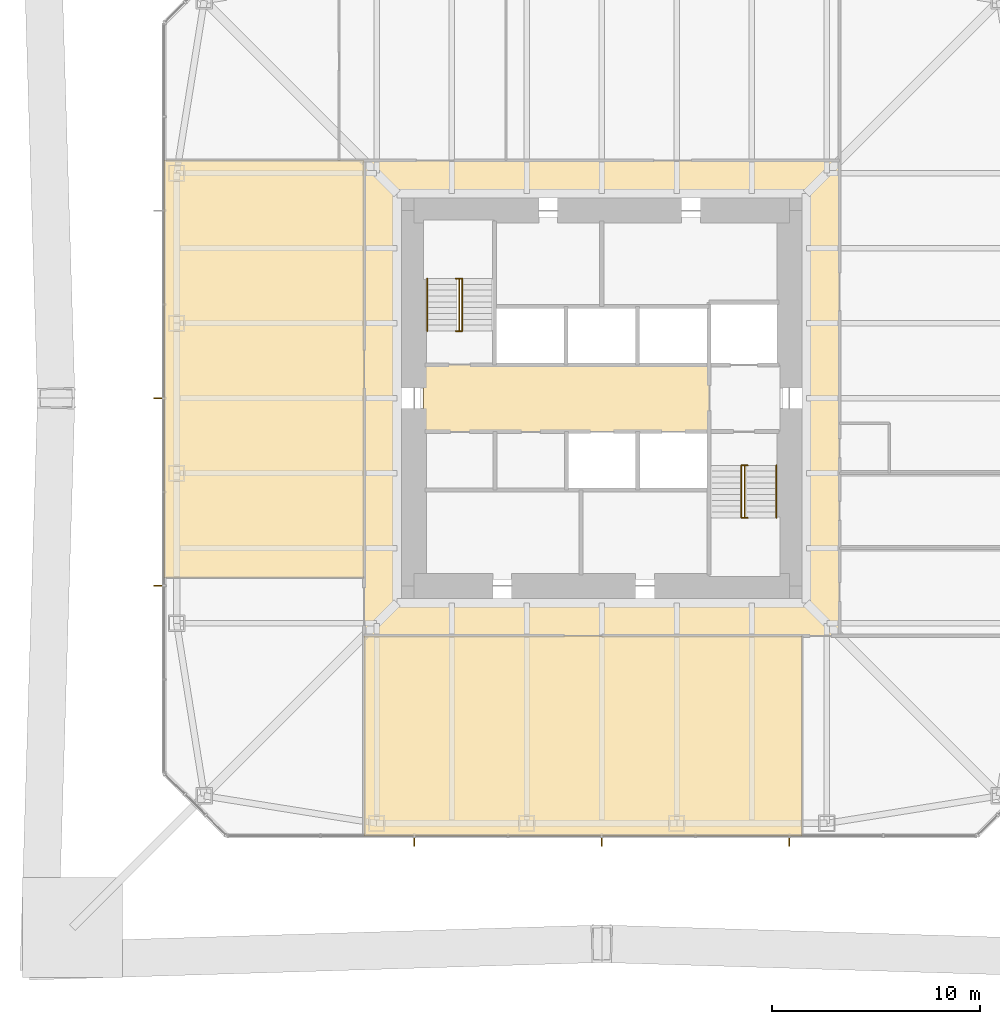
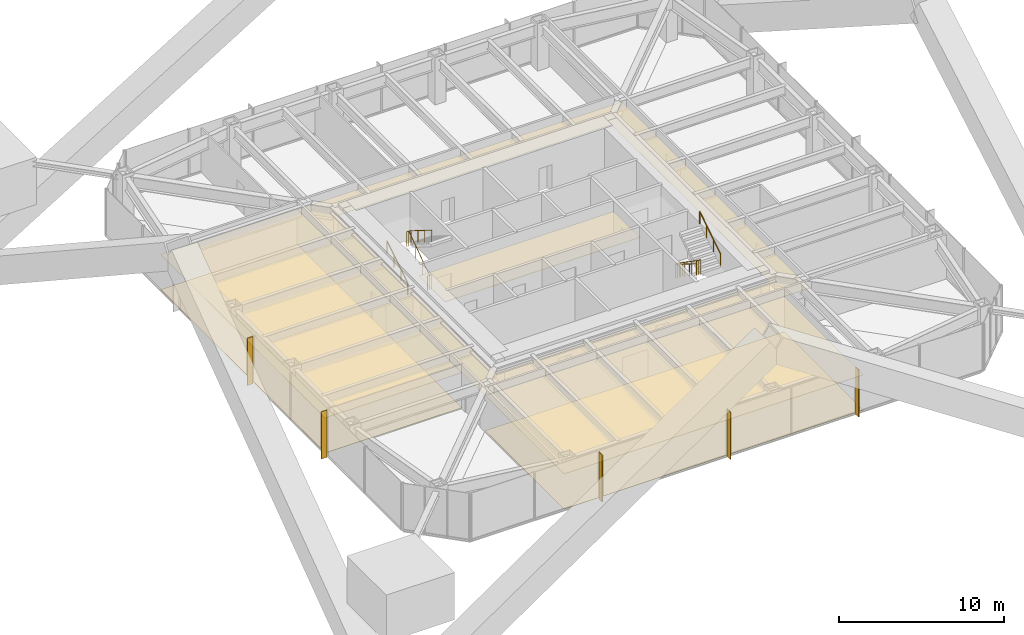
# One storey, part 18 of 21: 6 coverings, 6 railings, 5 shading devices.
"""IFC4 building model written with IfcOpenShell, lengths in metres."""

from ifc_helpers import new_model, si_unit, direction, frame, origin, origin_2d, place, context, subcontext, project, spatial, polyline, rectangle, circle, outline, extrude, material, layer, layer_set, constituent, constituent_set, type_object, element, save


model = new_model("IFC4")

# Units and contexts
model_context = context("Model", 3, precision=1e-05, world=origin(), true_north=direction((0.0, 1.0)))
body_context = subcontext(model_context, "Body", "Model", "MODEL_VIEW")
ifc_project = project(units=[si_unit("LENGTHUNIT", "METRE"), si_unit("AREAUNIT", "SQUARE_METRE"), si_unit("VOLUMEUNIT", "CUBIC_METRE"), si_unit("PLANEANGLEUNIT", "RADIAN"), si_unit("MASSUNIT", "GRAM", prefix="KILO")], contexts=[model_context])

# Site, building, storey
site_placement = place(None, origin())
site = spatial("IfcSite", under=ifc_project, at=site_placement, CompositionType="ELEMENT")
building_placement = place(site_placement, origin())
building = spatial("IfcBuilding", under=site, at=building_placement, Name="Iwan Alto Co-Living Towers", CompositionType="ELEMENT")
storey_placement = place(building_placement, frame((0.0, 0.0, 80.5)))
storey = spatial("IfcBuildingStorey", under=building, at=storey_placement, Name="L21", CompositionType="ELEMENT", Elevation=80.5)

# Covering
ifc_material_1 = material(Name="Mineral fibre acoustic tiles on steel grid", Category="steel")
ifc_layer_1 = layer(ifc_material_1, 0.02001953125)
ifc_layer_set_1 = layer_set([ifc_layer_1], Name="ACOUSTIC TILE CEILING 20")
covering_type_1 = type_object("IfcCoveringType", Name="ACOUSTIC TILE CEILING 20", PredefinedType="CEILING", material=ifc_layer_set_1)
covering_1_placement = place(storey_placement, frame((0.0, 0.0, 2.60009765625)))
element("IfcCovering", 1, at=covering_1_placement, inside=storey, type_object=covering_type_1, Name="Ceiling Lift lobby L21", PredefinedType="CEILING", context=body_context, shape_type="SweptSolid", body=[
    extrude(outline(polyline([(-8.550048828125, -1.60009765625), (-8.550048828125, 1.60009765625), (5.14990234375, 1.60009765625), (5.14990234375, -1.60009765625), (-8.550048828125, -1.60009765625)])), origin(), (0.0, 0.0, 1.0), 0.02001953125),
])

# Shading devices
ifc_material_2 = material(Name="Aluminium 6063-T6 bronze anodised", Category="aluminium")
ifc_layer_2 = layer(ifc_material_2, 0.050048828125)
ifc_layer_set_2 = layer_set([ifc_layer_2], Name="BRONZE FIN 50X400")
shading_device_type = type_object("IfcShadingDeviceType", Name="BRONZE FIN 50X400", PredefinedType="USERDEFINED", material=ifc_layer_set_2)
for number, where, z_axis, x_axis, name in (
    (2, (-9.0, -21.300048828125, 0.0), (0.0, 0.0, 1.0), (1.0, 0.0, 0.0), "Bronze fin L21"),
    (3, (0.0, -21.300048828125, 0.0), (0.0, 0.0, 1.0), (1.0, 0.0, 0.0), "Bronze fin L21"),
    (4, (9.0, -21.300048828125, 0.0), (0.0, 0.0, 1.0), (1.0, 0.0, 0.0), "Bronze fin L21"),
    (5, (-21.300048828125, 0.0, 0.0), (0.0, 0.0, 1.0), (0.0, -1.0, 0.0), "Bronze fin L21"),
    (6, (-21.300048828125, -9.0, 0.0), (0.0, 0.0, 1.0), (0.0, -1.0, 0.0), "Bronze fin L21"),
):
    element("IfcShadingDevice", number, at=place(storey_placement, frame(where, z_axis=z_axis, x_axis=x_axis)), inside=storey, type_object=shading_device_type, Name=name, ObjectType="LOUVER", PredefinedType="USERDEFINED", context=body_context, shape_type="SweptSolid", body=[
        extrude(rectangle(XDim=0.050048828125, YDim=0.39990234375, at=origin_2d()), origin(), (0.0, 0.0, 1.0), 3.5),
    ])

# Railings
ifc_material_3 = material(Name="Steel ASTM A500 Gr C", Category="steel")
ifc_constituent_1 = constituent(ifc_material_3, Name="Rails and posts", Category="Framing")
ifc_material_4 = material(Name="Steel ASTM A36", Category="steel")
ifc_constituent_2 = constituent(ifc_material_4, Name="Bar infill", Category="Infill")
ifc_constituent_set = constituent_set(constituents=[ifc_constituent_1, ifc_constituent_2], Name="STAIR GUARD 1100")
railing_type_1 = type_object("IfcRailingType", Name="STAIR GUARD 1100", PredefinedType="GUARDRAIL", material=ifc_constituent_set)
railing_1_placement = place(storey_placement, frame((-6.85009765625, 3.219970703125, 0.0)))
element("IfcRailing", 7, at=railing_1_placement, inside=storey, type_object=railing_type_1, Name="Stair T1-S1 well guard L21", PredefinedType="GUARDRAIL", context=body_context, shape_type="SweptSolid", body=[
    extrude(circle(Radius=0.02392578125, at=origin_2d()), frame((0.0, 0.0, 1.076171875), z_axis=(0.0, 0.821372036852, 0.570392826987), x_axis=(-1.0, 0.0, 0.0)), (0.0, 0.0, 1.0), 3.068115234375),
    extrude(circle(Radius=0.02392578125, at=origin_2d()), frame((-0.14990234375, 0.0, 1.076171875), z_axis=(1.0, 0.0, 0.0), x_axis=(0.0, 1.0, 0.0)), (0.0, 0.0, 1.0), 0.300048828125),
    extrude(circle(Radius=0.02392578125, at=origin_2d()), frame((-0.14990234375, 2.52001953125, 2.826171875), z_axis=(1.0, 0.0, 0.0), x_axis=(0.0, 1.0, 0.0)), (0.0, 0.0, 1.0), 0.300048828125),
    extrude(circle(Radius=0.02099609375, at=origin_2d()), origin(), (0.0, 0.0, 1.0), 1.052001953125),
    extrude(circle(Radius=0.02099609375, at=origin_2d()), frame((0.0, 0.840087890625, 0.583251953125)), (0.0, 0.0, 1.0), 1.052001953125),
    extrude(circle(Radius=0.02099609375, at=origin_2d()), frame((0.0, 1.679931640625, 1.166748046875)), (0.0, 0.0, 1.0), 1.052001953125),
    extrude(circle(Radius=0.02099609375, at=origin_2d()), frame((0.0, 2.52001953125, 1.75)), (0.0, 0.0, 1.0), 1.052001953125),
    extrude(circle(Radius=0.02099609375, at=origin_2d()), frame((-0.14990234375, 0.0, 0.0)), (0.0, 0.0, 1.0), 1.052001953125),
    extrude(circle(Radius=0.02099609375, at=origin_2d()), frame((0.150146484375, 0.0, 0.0)), (0.0, 0.0, 1.0), 1.052001953125),
    extrude(circle(Radius=0.02099609375, at=origin_2d()), frame((-0.14990234375, 2.52001953125, 1.75)), (0.0, 0.0, 1.0), 1.052001953125),
    extrude(circle(Radius=0.02099609375, at=origin_2d()), frame((0.150146484375, 2.52001953125, 1.75)), (0.0, 0.0, 1.0), 1.052001953125),
])
railing_2_placement = place(storey_placement, frame((6.85009765625, -3.219970703125, 0.0)))
element("IfcRailing", 8, at=railing_2_placement, inside=storey, type_object=railing_type_1, Name="Stair T1-S2 well guard L21", PredefinedType="GUARDRAIL", context=body_context, shape_type="SweptSolid", body=[
    extrude(circle(Radius=0.02392578125, at=origin_2d()), frame((0.0, 0.0, 1.076171875), z_axis=(0.0, -0.821372036852, 0.570392826987), x_axis=(1.0, 0.0, 0.0)), (0.0, 0.0, 1.0), 3.068115234375),
    extrude(circle(Radius=0.02392578125, at=origin_2d()), frame((-0.150146484375, 0.0, 1.076171875), z_axis=(1.0, 0.0, 0.0), x_axis=(0.0, 1.0, 0.0)), (0.0, 0.0, 1.0), 0.300048828125),
    extrude(circle(Radius=0.02392578125, at=origin_2d()), frame((-0.150146484375, -2.52001953125, 2.826171875), z_axis=(1.0, 0.0, 0.0), x_axis=(0.0, 1.0, 0.0)), (0.0, 0.0, 1.0), 0.300048828125),
    extrude(circle(Radius=0.02099609375, at=origin_2d()), origin(), (0.0, 0.0, 1.0), 1.052001953125),
    extrude(circle(Radius=0.02099609375, at=origin_2d()), frame((0.0, -0.840087890625, 0.583251953125)), (0.0, 0.0, 1.0), 1.052001953125),
    extrude(circle(Radius=0.02099609375, at=origin_2d()), frame((0.0, -1.679931640625, 1.166748046875)), (0.0, 0.0, 1.0), 1.052001953125),
    extrude(circle(Radius=0.02099609375, at=origin_2d()), frame((0.0, -2.52001953125, 1.75)), (0.0, 0.0, 1.0), 1.052001953125),
    extrude(circle(Radius=0.02099609375, at=origin_2d()), frame((-0.150146484375, 0.0, 0.0)), (0.0, 0.0, 1.0), 1.052001953125),
    extrude(circle(Radius=0.02099609375, at=origin_2d()), frame((0.14990234375, 0.0, 0.0)), (0.0, 0.0, 1.0), 1.052001953125),
    extrude(circle(Radius=0.02099609375, at=origin_2d()), frame((-0.150146484375, -2.52001953125, 1.75)), (0.0, 0.0, 1.0), 1.052001953125),
    extrude(circle(Radius=0.02099609375, at=origin_2d()), frame((0.14990234375, -2.52001953125, 1.75)), (0.0, 0.0, 1.0), 1.052001953125),
])
ifc_material_5 = material(Name="Steel ASTM A500 Gr C", Category="steel")
railing_type_2 = type_object("IfcRailingType", Name="STAIR HANDRAIL 900", PredefinedType="HANDRAIL", material=ifc_material_5)
railing_3_placement = place(storey_placement, frame((-8.3798828125, 3.219970703125, 0.175048828125)))
element("IfcRailing", 9, at=railing_3_placement, inside=storey, type_object=railing_type_2, Name="Stair T1-S1 handrail 1 L21", PredefinedType="HANDRAIL", context=body_context, shape_type="SweptSolid", body=[
    extrude(circle(Radius=0.02392578125, at=origin_2d()), frame((0.0, 0.0, 0.8759765625), z_axis=(0.0, 0.848007534815, 0.529984170421), x_axis=(-1.0, 0.0, 0.0)), (0.0, 0.0, 1.0), 2.9716796875),
    extrude(circle(Radius=0.02099609375, at=origin_2d()), origin(), (0.0, 0.0, 1.0), 0.851806640625),
    extrude(circle(Radius=0.02099609375, at=origin_2d()), frame((0.0, 0.840087890625, 0.52490234375)), (0.0, 0.0, 1.0), 0.851806640625),
    extrude(circle(Radius=0.02099609375, at=origin_2d()), frame((0.0, 1.679931640625, 1.050048828125)), (0.0, 0.0, 1.0), 0.851806640625),
    extrude(circle(Radius=0.02099609375, at=origin_2d()), frame((0.0, 2.52001953125, 1.574951171875)), (0.0, 0.0, 1.0), 0.851806640625),
])
for number, where, name in (
    (10, (-6.699951171875, 5.739990234375, 1.925048828125), "Stair T1-S1 handrail 2 L21"),
    (11, (6.699951171875, -3.219970703125, 0.175048828125), "Stair T1-S2 handrail 1 L21"),
):
    element("IfcRailing", number, at=place(storey_placement, frame(where)), inside=storey, type_object=railing_type_2, Name=name, PredefinedType="HANDRAIL", context=body_context, shape_type="SweptSolid", body=[
        extrude(circle(Radius=0.02392578125, at=origin_2d()), frame((0.0, 0.0, 0.8759765625), z_axis=(0.0, -0.848007534815, 0.529984170421), x_axis=(1.0, 0.0, 0.0)), (0.0, 0.0, 1.0), 2.9716796875),
        extrude(circle(Radius=0.02099609375, at=origin_2d()), origin(), (0.0, 0.0, 1.0), 0.851806640625),
        extrude(circle(Radius=0.02099609375, at=origin_2d()), frame((0.0, -0.840087890625, 0.52490234375)), (0.0, 0.0, 1.0), 0.851806640625),
        extrude(circle(Radius=0.02099609375, at=origin_2d()), frame((0.0, -1.679931640625, 1.050048828125)), (0.0, 0.0, 1.0), 0.851806640625),
        extrude(circle(Radius=0.02099609375, at=origin_2d()), frame((0.0, -2.52001953125, 1.574951171875)), (0.0, 0.0, 1.0), 0.851806640625),
    ])
railing_4_placement = place(storey_placement, frame((8.3798828125, -5.739990234375, 1.925048828125)))
element("IfcRailing", 12, at=railing_4_placement, inside=storey, type_object=railing_type_2, Name="Stair T1-S2 handrail 2 L21", PredefinedType="HANDRAIL", context=body_context, shape_type="SweptSolid", body=[
    extrude(circle(Radius=0.02392578125, at=origin_2d()), frame((0.0, 0.0, 0.8759765625), z_axis=(0.0, 0.848007534815, 0.529984170421), x_axis=(-1.0, 0.0, 0.0)), (0.0, 0.0, 1.0), 2.9716796875),
    extrude(circle(Radius=0.02099609375, at=origin_2d()), origin(), (0.0, 0.0, 1.0), 0.851806640625),
    extrude(circle(Radius=0.02099609375, at=origin_2d()), frame((0.0, 0.840087890625, 0.52490234375)), (0.0, 0.0, 1.0), 0.851806640625),
    extrude(circle(Radius=0.02099609375, at=origin_2d()), frame((0.0, 1.679931640625, 1.050048828125)), (0.0, 0.0, 1.0), 0.851806640625),
    extrude(circle(Radius=0.02099609375, at=origin_2d()), frame((0.0, 2.52001953125, 1.574951171875)), (0.0, 0.0, 1.0), 0.851806640625),
])

# Coverings
ifc_material_6 = material(Name="Gypsum plasterboard on steel grid", Category="steel")
ifc_layer_3 = layer(ifc_material_6, 0.014892578125)
ifc_layer_set_3 = layer_set([ifc_layer_3], Name="SUSPENDED PLASTERBOARD CEILING 15")
covering_type_2 = type_object("IfcCoveringType", Name="SUSPENDED PLASTERBOARD CEILING 15", PredefinedType="CEILING", material=ifc_layer_set_3)
covering_2_placement = place(storey_placement, frame((0.0, 0.0, 2.60009765625)))
element("IfcCovering", 13, at=covering_2_placement, inside=storey, type_object=covering_type_2, Name="Ceiling Corridor L21", PredefinedType="CEILING", context=body_context, shape_type="SweptSolid", body=[
    extrude(outline(polyline([(-11.39990234375, 11.39990234375), (11.39990234375, 11.39990234375), (11.39990234375, -11.39990234375), (-11.39990234375, -11.39990234375), (-11.39990234375, 11.39990234375)]), holes=[polyline([(-9.60009765625, 9.60009765625), (-9.60009765625, -9.60009765625), (9.60009765625, -9.60009765625), (9.60009765625, 9.60009765625), (-9.60009765625, 9.60009765625)])]), origin(), (0.0, 0.0, 1.0), 0.014892578125),
])
ifc_material_7 = material(Name="Engineered oak boards")
ifc_layer_4 = layer(ifc_material_7, 0.02001953125)
ifc_layer_set_4 = layer_set([ifc_layer_4], Name="TIMBER FLOOR FINISH 20")
covering_type_3 = type_object("IfcCoveringType", Name="TIMBER FLOOR FINISH 20", PredefinedType="FLOORING", material=ifc_layer_set_4)
covering_3_placement = place(storey_placement, origin())
element("IfcCovering", 14, at=covering_3_placement, inside=storey, type_object=covering_type_3, Name="Floor finish Social sky lounge L21", PredefinedType="FLOORING", context=body_context, shape_type="SweptSolid", body=[
    extrude(outline(polyline([(9.60009765625, -11.39990234375), (9.60009765625, -21.0), (-11.39990234375, -21.0), (-11.39990234375, -11.39990234375), (9.60009765625, -11.39990234375)])), origin(), (0.0, 0.0, 1.0), 0.02001953125),
])
covering_4_placement = place(storey_placement, origin())
element("IfcCovering", 15, at=covering_4_placement, inside=storey, type_object=covering_type_3, Name="Floor finish Residents' dining room L21", PredefinedType="FLOORING", context=body_context, shape_type="SweptSolid", body=[
    extrude(outline(polyline([(-11.39990234375, -8.60009765625), (-21.0, -8.60009765625), (-21.0, 11.39990234375), (-11.39990234375, 11.39990234375), (-11.39990234375, -8.60009765625)])), origin(), (0.0, 0.0, 1.0), 0.02001953125),
])
ifc_material_8 = material(Name="Walnut timber slats on acoustic backing", Category="wood")
ifc_layer_5 = layer(ifc_material_8, 0.02490234375)
ifc_layer_set_5 = layer_set([ifc_layer_5], Name="TIMBER SLAT CEILING 25")
covering_type_4 = type_object("IfcCoveringType", Name="TIMBER SLAT CEILING 25", PredefinedType="CEILING", material=ifc_layer_set_5)
covering_5_placement = place(storey_placement, frame((0.0, 0.0, 2.60009765625)))
element("IfcCovering", 16, at=covering_5_placement, inside=storey, type_object=covering_type_4, Name="Ceiling Social sky lounge L21", PredefinedType="CEILING", context=body_context, shape_type="SweptSolid", body=[
    extrude(outline(polyline([(9.60009765625, -11.39990234375), (9.60009765625, -21.0), (-11.39990234375, -21.0), (-11.39990234375, -11.39990234375), (9.60009765625, -11.39990234375)])), origin(), (0.0, 0.0, 1.0), 0.02490234375),
])
covering_6_placement = place(storey_placement, frame((0.0, 0.0, 2.60009765625)))
element("IfcCovering", 17, at=covering_6_placement, inside=storey, type_object=covering_type_4, Name="Ceiling Residents' dining room L21", PredefinedType="CEILING", context=body_context, shape_type="SweptSolid", body=[
    extrude(outline(polyline([(-11.39990234375, -8.60009765625), (-21.0, -8.60009765625), (-21.0, 11.39990234375), (-11.39990234375, 11.39990234375), (-11.39990234375, -8.60009765625)])), origin(), (0.0, 0.0, 1.0), 0.02490234375),
])

save(model, "model.ifc")
